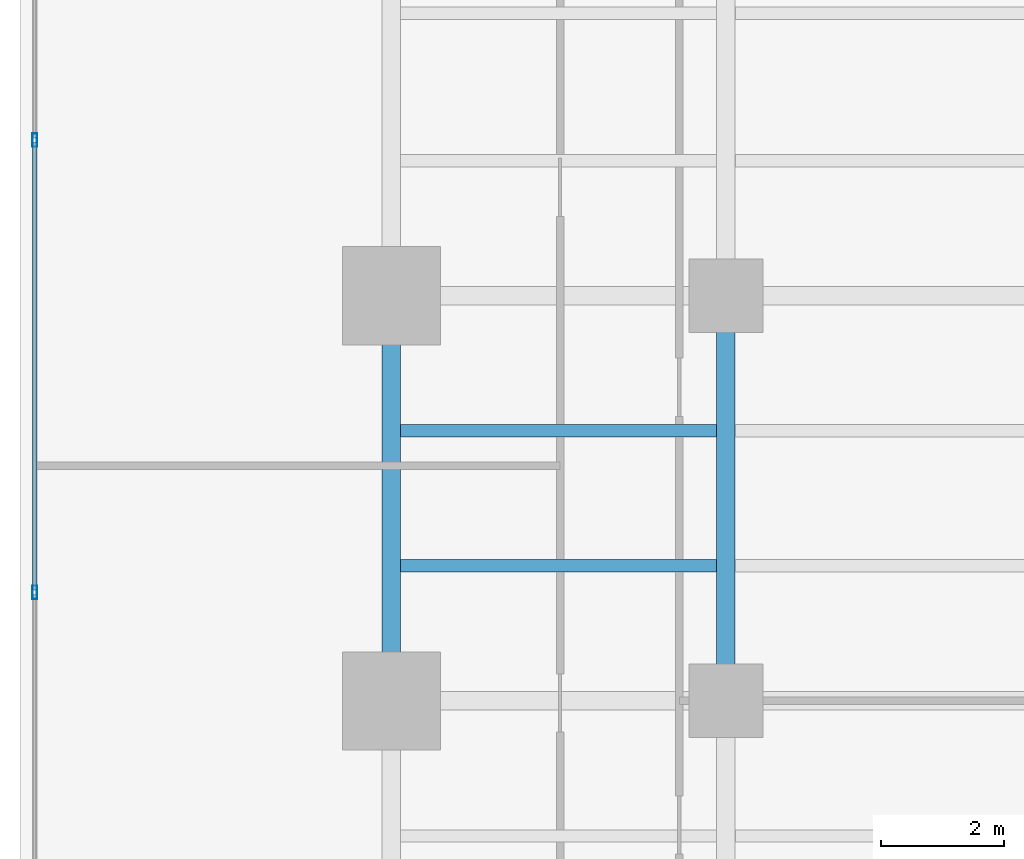
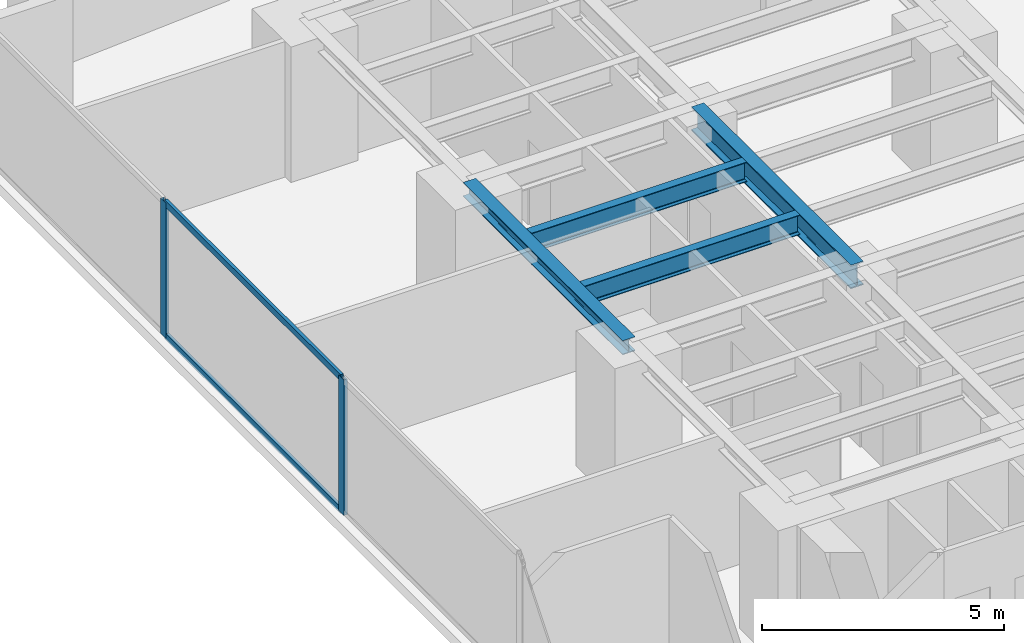
# One storey, part 15 of 28: 4 beams, 4 members, 1 element without a shape of its own.
"""IFC4 building model written with IfcOpenShell, lengths in metres."""

from ifc_helpers import new_model, si_unit, direction, frame, origin, origin_with_axes, origin_2d, place, context, subcontext, project, spatial, hollow_rectangle, i_section, extrude, source, transform, mapped, material, layer, layer_set, material_profile, profile_set, type_object, element, aggregate, save


model = new_model("IFC4")

# Units and contexts
model_context = context("Model", 3, precision=1e-05, world=origin(), true_north=direction((0.0, 1.0)))
body_context = subcontext(model_context, "Body", "Model", "MODEL_VIEW")
ifc_project = project(units=[si_unit("LENGTHUNIT", "METRE"), si_unit("AREAUNIT", "SQUARE_METRE"), si_unit("VOLUMEUNIT", "CUBIC_METRE"), si_unit("PLANEANGLEUNIT", "RADIAN"), si_unit("MASSUNIT", "GRAM", prefix="KILO")], contexts=[model_context])

# Site, building, storey
site_placement = place(None, origin())
site = spatial("IfcSite", under=ifc_project, at=site_placement, CompositionType="ELEMENT")
building_placement = place(site_placement, origin())
building = spatial("IfcBuilding", under=site, at=building_placement, Name="Kolvaren Waterfront Exchange", CompositionType="ELEMENT")
storey_placement = place(building_placement, frame((0.0, 0.0, 79.0)))
storey = spatial("IfcBuildingStorey", under=building, at=storey_placement, Name="L20", CompositionType="ELEMENT", Elevation=79.0)

# Beams
ifc_material_1 = material(Name="Steel S355", Category="steel")
ifc_material_profile_1 = material_profile(ifc_material_1, i_section(OverallWidth=0.300048828125, OverallDepth=0.360107421875, WebThickness=0.012451171875, FlangeThickness=0.0224609375, FilletRadius=0.027099609375, at=origin_2d()), Name="HEB360")
ifc_profile_set_1 = profile_set([ifc_material_profile_1], Name="Steel S355")
beam_type_1 = type_object("IfcBeamType", Name="STR-BM-HEB360", PredefinedType="SPANDREL", material=ifc_profile_set_1)
beam_1_placement = place(storey_placement, frame((7.449951171875, 31.199951171875, 3.239990234375), z_axis=(0.0, 1.0, 0.0), x_axis=(-1.0, 0.0, 0.0)))
element("IfcBeam", 1, at=beam_1_placement, inside=storey, type_object=beam_type_1, Name="L20 north-arm edge beam 2", PredefinedType="SPANDREL", context=body_context, shape_type="SweptSolid", body=[
    extrude(i_section(OverallWidth=0.300048828125, OverallDepth=0.360107421875, WebThickness=0.012451171875, FlangeThickness=0.0224609375, FilletRadius=0.027099609375, at=origin_2d()), origin(), (0.0, 0.0, 1.0), 6.60009765625),
])
ifc_material_profile_2 = material_profile(ifc_material_1, i_section(OverallWidth=0.300048828125, OverallDepth=0.60009765625, WebThickness=0.015380859375, FlangeThickness=0.030029296875, FilletRadius=0.027099609375, at=origin_2d()), Name="HEB600")
ifc_profile_set_2 = profile_set([ifc_material_profile_2], Name="Steel S355")
beam_type_2 = type_object("IfcBeamType", Name="STR-BM-HEB600", PredefinedType="BEAM", material=ifc_profile_set_2)
beam_2_placement = place(storey_placement, frame((12.89990234375, 31.199951171875, 3.1201171875), z_axis=(0.0, 1.0, 0.0), x_axis=(-1.0, 0.0, 0.0)))
element("IfcBeam", 2, at=beam_2_placement, inside=storey, type_object=beam_type_2, Name="L20 north-arm edge beam 2", PredefinedType="BEAM", context=body_context, shape_type="SweptSolid", body=[
    extrude(i_section(OverallWidth=0.300048828125, OverallDepth=0.60009765625, WebThickness=0.015380859375, FlangeThickness=0.030029296875, FilletRadius=0.027099609375, at=origin_2d()), origin(), (0.0, 0.0, 1.0), 6.60009765625),
])
ifc_material_profile_3 = material_profile(ifc_material_1, i_section(OverallWidth=0.199951171875, OverallDepth=0.5, WebThickness=0.01025390625, FlangeThickness=0.01611328125, FilletRadius=0.02099609375, at=origin_2d()), Name="IPE500")
ifc_profile_set_3 = profile_set([ifc_material_profile_3], Name="Steel S355")
beam_type_3 = type_object("IfcBeamType", Name="STR-BM-IPE500", PredefinedType="JOIST", material=ifc_profile_set_3)
for number, where, z_axis, x_axis, name in (
    (3, (7.60205078125, 33.39990234375, 3.169921875), (1.0, 0.0, 0.0), (0.0, 1.0, 0.0), "L20 north-arm composite joist 3A"),
    (4, (7.60205078125, 35.60009765625, 3.169921875), (1.0, 0.0, 0.0), (0.0, 1.0, 0.0), "L20 north-arm composite joist 4A"),
):
    element("IfcBeam", number, at=place(storey_placement, frame(where, z_axis=z_axis, x_axis=x_axis)), inside=storey, type_object=beam_type_3, Name=name, PredefinedType="JOIST", context=body_context, shape_type="SweptSolid", body=[
        extrude(i_section(OverallWidth=0.199951171875, OverallDepth=0.5, WebThickness=0.01025390625, FlangeThickness=0.01611328125, FilletRadius=0.02099609375, at=origin_2d()), origin(), (0.0, 0.0, 1.0), 5.14599609375),
    ])

# Curtain wall, members
ifc_material_2 = material(Name="Anodised aluminium 6063-T6", Category="aluminium")
ifc_layer = layer(ifc_material_2, 0.219970703125, Name="Anodised aluminium 6063-T6")
ifc_layer_set = layer_set([ifc_layer], Name="Anodised aluminium 6063-T6")
curtain_wall_type = type_object("IfcCurtainWallType", Name="ARC-CW-SYS2", PredefinedType="USERDEFINED", material=ifc_layer_set)
curtain_wall_placement = place(storey_placement, origin())
curtain_wall = element("IfcCurtainWall", 5, at=curtain_wall_placement, inside=storey, type_object=curtain_wall_type, Name="L20 stick curtain wall CW2 (CW-L20-W)", ObjectType="STICK CURTAIN WALL", PredefinedType="USERDEFINED")
ifc_material_profile_4 = material_profile(ifc_material_2, hollow_rectangle(XDim=0.074951171875, YDim=0.159912109375, WallThickness=0.00439453125, at=origin_2d()), Name="ALU-TRN-160x75x4.5")
ifc_profile_set_4 = profile_set([ifc_material_profile_4], Name="Anodised aluminium 6063-T6")
member_type_1 = type_object("IfcMemberType", Name="ARC-CWT-160", PredefinedType="USERDEFINED", material=ifc_profile_set_4)
shared_shape_1 = source(origin_with_axes(), body_context, "Body", "SweptSolid", [
    extrude(hollow_rectangle(XDim=0.074951171875, YDim=0.159912109375, WallThickness=0.00439453125, at=origin_2d()), origin(), (0.0, 0.0, 1.0), 7.28662109375),
])
member_1_placement = place(storey_placement, frame((1.639892578125, 33.006591796875, 0.03759765625), z_axis=(0.0, 1.0, 0.0), x_axis=(-1.0, 0.0, 0.0)))
member_1 = element("IfcMember", 6, at=member_1_placement, type_object=member_type_1, Name="CW2 transom 5.1", ObjectType="TRANSOM", PredefinedType="USERDEFINED", context=body_context, shape_type="MappedRepresentation", body=[
    mapped(shared_shape_1, transform((0.0, 0.0, 0.0), x_axis=(1.0, 0.0, 0.0), y_axis=(0.0, 1.0, 0.0), z_axis=(0.0, 0.0, 1.0), scale=1.0)),
])
member_2_placement = place(storey_placement, frame((1.639892578125, 33.006591796875, 3.382568359375), z_axis=(0.0, 1.0, 0.0), x_axis=(-1.0, 0.0, 0.0)))
member_2 = element("IfcMember", 7, at=member_2_placement, type_object=member_type_1, Name="CW2 transom 5.2", ObjectType="TRANSOM", PredefinedType="USERDEFINED", context=body_context, shape_type="MappedRepresentation", body=[
    mapped(shared_shape_1, transform((0.0, 0.0, 0.0), x_axis=(1.0, 0.0, 0.0), y_axis=(0.0, 1.0, 0.0), z_axis=(0.0, 0.0, 1.0), scale=1.0)),
])
ifc_material_profile_5 = material_profile(ifc_material_2, hollow_rectangle(XDim=0.080078125, YDim=0.219970703125, WallThickness=0.0048828125, at=origin_2d()), Name="ALU-MUL-220x80x5")
ifc_profile_set_5 = profile_set([ifc_material_profile_5], Name="Anodised aluminium 6063-T6")
member_type_2 = type_object("IfcMemberType", Name="ARC-CWM-220", PredefinedType="MULLION", material=ifc_profile_set_5)
shared_shape_2 = source(origin_with_axes(), body_context, "Body", "SweptSolid", [
    extrude(hollow_rectangle(XDim=0.080078125, YDim=0.219970703125, WallThickness=0.0048828125, at=origin_2d()), origin(), (0.0, 0.0, 1.0), 3.419921875),
])
member_3_placement = place(storey_placement, frame((1.639892578125, 32.966552734375, 0.0), z_axis=(0.0, 0.0, 1.0), x_axis=(-1.0, 0.0, 0.0)))
member_3 = element("IfcMember", 8, at=member_3_placement, type_object=member_type_2, Name="CW2 mullion 5", PredefinedType="MULLION", context=body_context, shape_type="MappedRepresentation", body=[
    mapped(shared_shape_2, transform((0.0, 0.0, 0.0), x_axis=(1.0, 0.0, 0.0), y_axis=(0.0, 1.0, 0.0), z_axis=(0.0, 0.0, 1.0), scale=1.0)),
])
member_4_placement = place(storey_placement, frame((1.639892578125, 40.333251953125, 0.0), z_axis=(0.0, 0.0, 1.0), x_axis=(-1.0, 0.0, 0.0)))
member_4 = element("IfcMember", 9, at=member_4_placement, type_object=member_type_2, Name="CW2 mullion 6", PredefinedType="MULLION", context=body_context, shape_type="MappedRepresentation", body=[
    mapped(shared_shape_2, transform((0.0, 0.0, 0.0), x_axis=(1.0, 0.0, 0.0), y_axis=(0.0, 1.0, 0.0), z_axis=(0.0, 0.0, 1.0), scale=1.0)),
])
aggregate(curtain_wall, [member_3, member_4, member_1, member_2])

save(model, "model.ifc")
